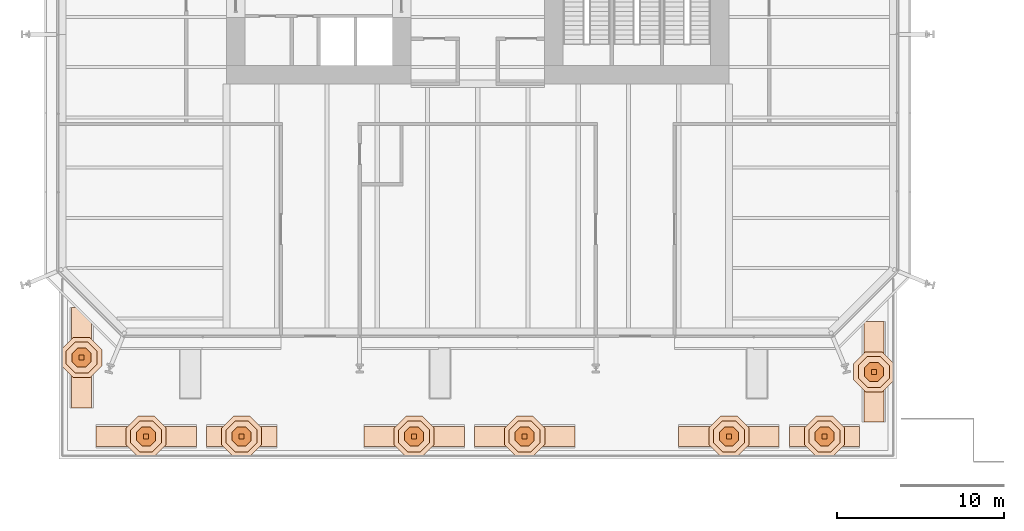
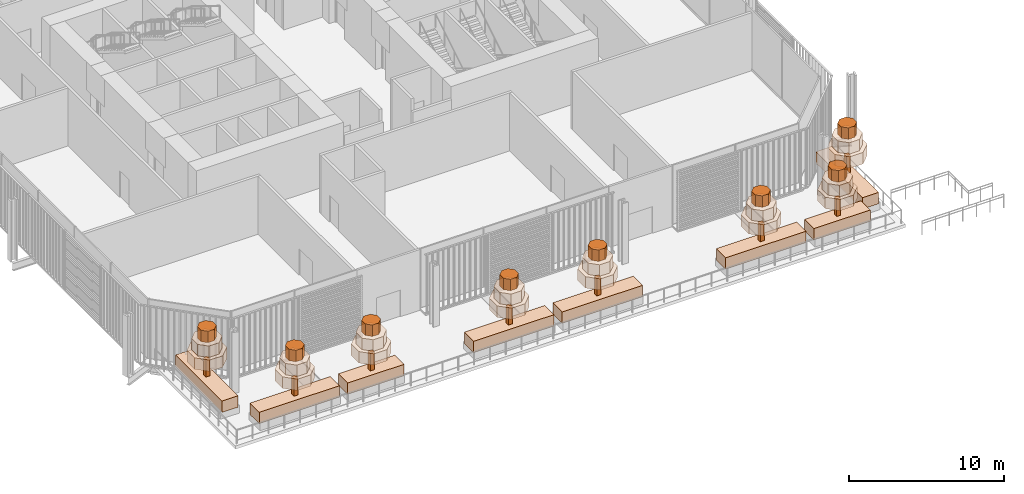
# One storey, part 21 of 21: 40 geographic elements.
"""IFC4 building model written with IfcOpenShell, lengths in metres."""

from ifc_helpers import new_model, si_unit, direction, frame, origin, origin_2d, place, context, subcontext, project, spatial, polyline, rectangle, outline, extrude, material, type_object, element, save


model = new_model("IFC4")

# Units and contexts
model_context = context("Model", 3, precision=1e-05, world=origin(), true_north=direction((0.0, 1.0)))
body_context = subcontext(model_context, "Body", "Model", "MODEL_VIEW")
ifc_project = project(units=[si_unit("LENGTHUNIT", "METRE"), si_unit("AREAUNIT", "SQUARE_METRE"), si_unit("VOLUMEUNIT", "CUBIC_METRE"), si_unit("PLANEANGLEUNIT", "RADIAN"), si_unit("MASSUNIT", "GRAM", prefix="KILO")], contexts=[model_context])

# Site, building, storey
site_placement = place(None, origin())
site = spatial("IfcSite", under=ifc_project, at=site_placement, CompositionType="ELEMENT")
building_placement = place(site_placement, origin())
building = spatial("IfcBuilding", under=site, at=building_placement, Name="Millrace Tower", CompositionType="ELEMENT")
storey_placement = place(building_placement, frame((0.0, 0.0, 16.10009765625)))
storey = spatial("IfcBuildingStorey", under=building, at=storey_placement, Name="L04", CompositionType="ELEMENT", Elevation=16.10009765625)

# Geographic elements
ifc_material_1 = material(Name="Planting shrub bed")
geographic_element_type_1 = type_object("IfcGeographicElementType", Name="Shrub bed", PredefinedType="USERDEFINED", material=ifc_material_1)
for number, where, z_axis, x_axis, name in (
    (1, (-23.64990234375, -26.35009765625, 0.5), (0.0, 0.0, 1.0), (0.0, -1.0, 0.0), "Shrub bed CT-L03-1-1-0-0"),
    (2, (-19.800048828125, -31.050048828125, 0.5), (0.0, 0.0, 1.0), (1.0, 0.0, 0.0), "Shrub bed CT-L03-1-1-1-0"),
):
    element("IfcGeographicElement", number, at=place(storey_placement, frame(where, z_axis=z_axis, x_axis=x_axis)), inside=storey, type_object=geographic_element_type_1, Name=name, ObjectType="SHRUB", PredefinedType="USERDEFINED", context=body_context, shape_type="SweptSolid", body=[
        extrude(rectangle(XDim=6.0, YDim=1.199951171875, at=origin_2d()), origin(), (0.0, 0.0, 1.0), 0.89990234375),
    ])
geographic_element_1_placement = place(storey_placement, frame((-14.10009765625, -31.050048828125, 0.5), z_axis=(0.0, 0.0, 1.0), x_axis=(1.0, 0.0, 0.0)))
element("IfcGeographicElement", 3, at=geographic_element_1_placement, inside=storey, type_object=geographic_element_type_1, Name="Shrub bed CT-L03-1-1-1-1", ObjectType="SHRUB", PredefinedType="USERDEFINED", context=body_context, shape_type="SweptSolid", body=[
    extrude(rectangle(XDim=4.199951171875, YDim=1.199951171875, at=origin_2d()), origin(), (0.0, 0.0, 1.0), 0.89990234375),
])
for number, where, z_axis, x_axis, name in (
    (4, (-3.800048828125, -31.050048828125, 0.5), (0.0, 0.0, 1.0), (1.0, 0.0, 0.0), "Shrub bed CT-L03-1-1-1-2"),
    (5, (2.800048828125, -31.050048828125, 0.5), (0.0, 0.0, 1.0), (1.0, 0.0, 0.0), "Shrub bed CT-L03-1-1-1-3"),
    (6, (15.0, -31.050048828125, 0.5), (0.0, 0.0, 1.0), (1.0, 0.0, 0.0), "Shrub bed CT-L03-1-1-1-4"),
):
    element("IfcGeographicElement", number, at=place(storey_placement, frame(where, z_axis=z_axis, x_axis=x_axis)), inside=storey, type_object=geographic_element_type_1, Name=name, ObjectType="SHRUB", PredefinedType="USERDEFINED", context=body_context, shape_type="SweptSolid", body=[
        extrude(rectangle(XDim=6.0, YDim=1.199951171875, at=origin_2d()), origin(), (0.0, 0.0, 1.0), 0.89990234375),
    ])
geographic_element_2_placement = place(storey_placement, frame((20.699951171875, -31.050048828125, 0.5), z_axis=(0.0, 0.0, 1.0), x_axis=(1.0, 0.0, 0.0)))
element("IfcGeographicElement", 7, at=geographic_element_2_placement, inside=storey, type_object=geographic_element_type_1, Name="Shrub bed CT-L03-1-1-1-5", ObjectType="SHRUB", PredefinedType="USERDEFINED", context=body_context, shape_type="SweptSolid", body=[
    extrude(rectangle(XDim=4.199951171875, YDim=1.199951171875, at=origin_2d()), origin(), (0.0, 0.0, 1.0), 0.89990234375),
])
geographic_element_3_placement = place(storey_placement, frame((23.64990234375, -27.199951171875, 0.5), z_axis=(0.0, 0.0, 1.0), x_axis=(0.0, 1.0, 0.0)))
element("IfcGeographicElement", 8, at=geographic_element_3_placement, inside=storey, type_object=geographic_element_type_1, Name="Shrub bed CT-L03-1-1-2-0", ObjectType="SHRUB", PredefinedType="USERDEFINED", context=body_context, shape_type="SweptSolid", body=[
    extrude(rectangle(XDim=6.0, YDim=1.199951171875, at=origin_2d()), origin(), (0.0, 0.0, 1.0), 0.89990234375),
])
ifc_material_2 = material(Name="Planting tree crown")
geographic_element_type_2 = type_object("IfcGeographicElementType", Name="Tree crown", PredefinedType="USERDEFINED", material=ifc_material_2)
placement_1 = place(storey_placement, frame((0.0, 0.0, 2.599853515625)))
element("IfcGeographicElement", 9, at=placement_1, inside=storey, type_object=geographic_element_type_2, Name="Tree crown CT-L03-1-1-0-0 tier 1", ObjectType="TREE", PredefinedType="USERDEFINED", context=body_context, shape_type="SweptSolid", body=[
    extrude(outline(polyline([(-22.448974609375, -25.8525390625), (-23.152587890625, -25.14892578125), (-24.1474609375, -25.14892578125), (-24.85107421875, -25.8525390625), (-24.85107421875, -26.847412109375), (-24.1474609375, -27.551025390625), (-23.152587890625, -27.551025390625), (-22.448974609375, -26.847412109375), (-22.448974609375, -25.8525390625)])), origin(), (0.0, 0.0, 1.0), 0.900146484375),
])
placement_2 = place(storey_placement, frame((0.0, 0.0, 3.5)))
element("IfcGeographicElement", 10, at=placement_2, inside=storey, type_object=geographic_element_type_2, Name="Tree crown CT-L03-1-1-0-0 tier 2", ObjectType="TREE", PredefinedType="USERDEFINED", context=body_context, shape_type="SweptSolid", body=[
    extrude(outline(polyline([(-22.72607421875, -25.96728515625), (-23.267333984375, -25.426025390625), (-24.03271484375, -25.426025390625), (-24.573974609375, -25.96728515625), (-24.573974609375, -26.732666015625), (-24.03271484375, -27.27392578125), (-23.267333984375, -27.27392578125), (-22.72607421875, -26.732666015625), (-22.72607421875, -25.96728515625)])), origin(), (0.0, 0.0, 1.0), 0.89990234375),
])
placement_3 = place(storey_placement, frame((0.0, 0.0, 4.39990234375)))
element("IfcGeographicElement", 11, at=placement_3, inside=storey, type_object=geographic_element_type_2, Name="Tree crown CT-L03-1-1-0-0 tier 3", ObjectType="TREE", PredefinedType="USERDEFINED", context=body_context, shape_type="SweptSolid", body=[
    extrude(outline(polyline([(-23.0771484375, -26.11279296875), (-23.41259765625, -25.777099609375), (-23.88720703125, -25.777099609375), (-24.222900390625, -26.11279296875), (-24.222900390625, -26.58740234375), (-23.88720703125, -26.9228515625), (-23.41259765625, -26.9228515625), (-23.0771484375, -26.58740234375), (-23.0771484375, -26.11279296875)])), origin(), (0.0, 0.0, 1.0), 0.89990234375),
])
element("IfcGeographicElement", 12, at=placement_1, inside=storey, type_object=geographic_element_type_2, Name="Tree crown CT-L03-1-1-1-0 tier 1", ObjectType="TREE", PredefinedType="USERDEFINED", context=body_context, shape_type="SweptSolid", body=[
    extrude(outline(polyline([(-18.59912109375, -30.552490234375), (-19.302490234375, -29.84912109375), (-20.297607421875, -29.84912109375), (-21.0009765625, -30.552490234375), (-21.0009765625, -31.547607421875), (-20.297607421875, -32.2509765625), (-19.302490234375, -32.2509765625), (-18.59912109375, -31.547607421875), (-18.59912109375, -30.552490234375)])), origin(), (0.0, 0.0, 1.0), 0.900146484375),
])
element("IfcGeographicElement", 13, at=placement_2, inside=storey, type_object=geographic_element_type_2, Name="Tree crown CT-L03-1-1-1-0 tier 2", ObjectType="TREE", PredefinedType="USERDEFINED", context=body_context, shape_type="SweptSolid", body=[
    extrude(outline(polyline([(-18.876220703125, -30.667236328125), (-19.417236328125, -30.126220703125), (-20.1826171875, -30.126220703125), (-20.723876953125, -30.667236328125), (-20.723876953125, -31.4326171875), (-20.1826171875, -31.973876953125), (-19.417236328125, -31.973876953125), (-18.876220703125, -31.4326171875), (-18.876220703125, -30.667236328125)])), origin(), (0.0, 0.0, 1.0), 0.89990234375),
])
element("IfcGeographicElement", 14, at=placement_3, inside=storey, type_object=geographic_element_type_2, Name="Tree crown CT-L03-1-1-1-0 tier 3", ObjectType="TREE", PredefinedType="USERDEFINED", context=body_context, shape_type="SweptSolid", body=[
    extrude(outline(polyline([(-19.227294921875, -30.812744140625), (-19.562744140625, -30.477294921875), (-20.037353515625, -30.477294921875), (-20.372802734375, -30.812744140625), (-20.372802734375, -31.287353515625), (-20.037353515625, -31.622802734375), (-19.562744140625, -31.622802734375), (-19.227294921875, -31.287353515625), (-19.227294921875, -30.812744140625)])), origin(), (0.0, 0.0, 1.0), 0.89990234375),
])
element("IfcGeographicElement", 15, at=placement_1, inside=storey, type_object=geographic_element_type_2, Name="Tree crown CT-L03-1-1-1-1 tier 1", ObjectType="TREE", PredefinedType="USERDEFINED", context=body_context, shape_type="SweptSolid", body=[
    extrude(outline(polyline([(-12.89892578125, -30.552490234375), (-13.6025390625, -29.84912109375), (-14.597412109375, -29.84912109375), (-15.301025390625, -30.552490234375), (-15.301025390625, -31.547607421875), (-14.597412109375, -32.2509765625), (-13.6025390625, -32.2509765625), (-12.89892578125, -31.547607421875), (-12.89892578125, -30.552490234375)])), origin(), (0.0, 0.0, 1.0), 0.900146484375),
])
element("IfcGeographicElement", 16, at=placement_2, inside=storey, type_object=geographic_element_type_2, Name="Tree crown CT-L03-1-1-1-1 tier 2", ObjectType="TREE", PredefinedType="USERDEFINED", context=body_context, shape_type="SweptSolid", body=[
    extrude(outline(polyline([(-13.176025390625, -30.667236328125), (-13.71728515625, -30.126220703125), (-14.482666015625, -30.126220703125), (-15.02392578125, -30.667236328125), (-15.02392578125, -31.4326171875), (-14.482666015625, -31.973876953125), (-13.71728515625, -31.973876953125), (-13.176025390625, -31.4326171875), (-13.176025390625, -30.667236328125)])), origin(), (0.0, 0.0, 1.0), 0.89990234375),
])
element("IfcGeographicElement", 17, at=placement_3, inside=storey, type_object=geographic_element_type_2, Name="Tree crown CT-L03-1-1-1-1 tier 3", ObjectType="TREE", PredefinedType="USERDEFINED", context=body_context, shape_type="SweptSolid", body=[
    extrude(outline(polyline([(-13.527099609375, -30.812744140625), (-13.86279296875, -30.477294921875), (-14.33740234375, -30.477294921875), (-14.6728515625, -30.812744140625), (-14.6728515625, -31.287353515625), (-14.33740234375, -31.622802734375), (-13.86279296875, -31.622802734375), (-13.527099609375, -31.287353515625), (-13.527099609375, -30.812744140625)])), origin(), (0.0, 0.0, 1.0), 0.89990234375),
])
element("IfcGeographicElement", 18, at=placement_1, inside=storey, type_object=geographic_element_type_2, Name="Tree crown CT-L03-1-1-1-2 tier 1", ObjectType="TREE", PredefinedType="USERDEFINED", context=body_context, shape_type="SweptSolid", body=[
    extrude(outline(polyline([(-2.59912109375, -30.552490234375), (-3.302490234375, -29.84912109375), (-4.297607421875, -29.84912109375), (-5.0009765625, -30.552490234375), (-5.0009765625, -31.547607421875), (-4.297607421875, -32.2509765625), (-3.302490234375, -32.2509765625), (-2.59912109375, -31.547607421875), (-2.59912109375, -30.552490234375)])), origin(), (0.0, 0.0, 1.0), 0.900146484375),
])
element("IfcGeographicElement", 19, at=placement_2, inside=storey, type_object=geographic_element_type_2, Name="Tree crown CT-L03-1-1-1-2 tier 2", ObjectType="TREE", PredefinedType="USERDEFINED", context=body_context, shape_type="SweptSolid", body=[
    extrude(outline(polyline([(-2.876220703125, -30.667236328125), (-3.417236328125, -30.126220703125), (-4.1826171875, -30.126220703125), (-4.723876953125, -30.667236328125), (-4.723876953125, -31.4326171875), (-4.1826171875, -31.973876953125), (-3.417236328125, -31.973876953125), (-2.876220703125, -31.4326171875), (-2.876220703125, -30.667236328125)])), origin(), (0.0, 0.0, 1.0), 0.89990234375),
])
element("IfcGeographicElement", 20, at=placement_3, inside=storey, type_object=geographic_element_type_2, Name="Tree crown CT-L03-1-1-1-2 tier 3", ObjectType="TREE", PredefinedType="USERDEFINED", context=body_context, shape_type="SweptSolid", body=[
    extrude(outline(polyline([(-3.227294921875, -30.812744140625), (-3.562744140625, -30.477294921875), (-4.037353515625, -30.477294921875), (-4.372802734375, -30.812744140625), (-4.372802734375, -31.287353515625), (-4.037353515625, -31.622802734375), (-3.562744140625, -31.622802734375), (-3.227294921875, -31.287353515625), (-3.227294921875, -30.812744140625)])), origin(), (0.0, 0.0, 1.0), 0.89990234375),
])
element("IfcGeographicElement", 21, at=placement_1, inside=storey, type_object=geographic_element_type_2, Name="Tree crown CT-L03-1-1-1-3 tier 1", ObjectType="TREE", PredefinedType="USERDEFINED", context=body_context, shape_type="SweptSolid", body=[
    extrude(outline(polyline([(4.0009765625, -30.552490234375), (3.297607421875, -29.84912109375), (2.302490234375, -29.84912109375), (1.59912109375, -30.552490234375), (1.59912109375, -31.547607421875), (2.302490234375, -32.2509765625), (3.297607421875, -32.2509765625), (4.0009765625, -31.547607421875), (4.0009765625, -30.552490234375)])), origin(), (0.0, 0.0, 1.0), 0.900146484375),
])
element("IfcGeographicElement", 22, at=placement_2, inside=storey, type_object=geographic_element_type_2, Name="Tree crown CT-L03-1-1-1-3 tier 2", ObjectType="TREE", PredefinedType="USERDEFINED", context=body_context, shape_type="SweptSolid", body=[
    extrude(outline(polyline([(3.723876953125, -30.667236328125), (3.1826171875, -30.126220703125), (2.417236328125, -30.126220703125), (1.876220703125, -30.667236328125), (1.876220703125, -31.4326171875), (2.417236328125, -31.973876953125), (3.1826171875, -31.973876953125), (3.723876953125, -31.4326171875), (3.723876953125, -30.667236328125)])), origin(), (0.0, 0.0, 1.0), 0.89990234375),
])
element("IfcGeographicElement", 23, at=placement_3, inside=storey, type_object=geographic_element_type_2, Name="Tree crown CT-L03-1-1-1-3 tier 3", ObjectType="TREE", PredefinedType="USERDEFINED", context=body_context, shape_type="SweptSolid", body=[
    extrude(outline(polyline([(3.372802734375, -30.812744140625), (3.037353515625, -30.477294921875), (2.562744140625, -30.477294921875), (2.227294921875, -30.812744140625), (2.227294921875, -31.287353515625), (2.562744140625, -31.622802734375), (3.037353515625, -31.622802734375), (3.372802734375, -31.287353515625), (3.372802734375, -30.812744140625)])), origin(), (0.0, 0.0, 1.0), 0.89990234375),
])
element("IfcGeographicElement", 24, at=placement_1, inside=storey, type_object=geographic_element_type_2, Name="Tree crown CT-L03-1-1-1-4 tier 1", ObjectType="TREE", PredefinedType="USERDEFINED", context=body_context, shape_type="SweptSolid", body=[
    extrude(outline(polyline([(16.200927734375, -30.552490234375), (15.49755859375, -29.84912109375), (14.50244140625, -29.84912109375), (13.799072265625, -30.552490234375), (13.799072265625, -31.547607421875), (14.50244140625, -32.2509765625), (15.49755859375, -32.2509765625), (16.200927734375, -31.547607421875), (16.200927734375, -30.552490234375)])), origin(), (0.0, 0.0, 1.0), 0.900146484375),
])
element("IfcGeographicElement", 25, at=placement_2, inside=storey, type_object=geographic_element_type_2, Name="Tree crown CT-L03-1-1-1-4 tier 2", ObjectType="TREE", PredefinedType="USERDEFINED", context=body_context, shape_type="SweptSolid", body=[
    extrude(outline(polyline([(15.923828125, -30.667236328125), (15.3828125, -30.126220703125), (14.6171875, -30.126220703125), (14.076171875, -30.667236328125), (14.076171875, -31.4326171875), (14.6171875, -31.973876953125), (15.3828125, -31.973876953125), (15.923828125, -31.4326171875), (15.923828125, -30.667236328125)])), origin(), (0.0, 0.0, 1.0), 0.89990234375),
])
element("IfcGeographicElement", 26, at=placement_3, inside=storey, type_object=geographic_element_type_2, Name="Tree crown CT-L03-1-1-1-4 tier 3", ObjectType="TREE", PredefinedType="USERDEFINED", context=body_context, shape_type="SweptSolid", body=[
    extrude(outline(polyline([(15.57275390625, -30.812744140625), (15.2373046875, -30.477294921875), (14.7626953125, -30.477294921875), (14.42724609375, -30.812744140625), (14.42724609375, -31.287353515625), (14.7626953125, -31.622802734375), (15.2373046875, -31.622802734375), (15.57275390625, -31.287353515625), (15.57275390625, -30.812744140625)])), origin(), (0.0, 0.0, 1.0), 0.89990234375),
])
element("IfcGeographicElement", 27, at=placement_1, inside=storey, type_object=geographic_element_type_2, Name="Tree crown CT-L03-1-1-1-5 tier 1", ObjectType="TREE", PredefinedType="USERDEFINED", context=body_context, shape_type="SweptSolid", body=[
    extrude(outline(polyline([(21.90087890625, -30.552490234375), (21.197509765625, -29.84912109375), (20.202392578125, -29.84912109375), (19.4990234375, -30.552490234375), (19.4990234375, -31.547607421875), (20.202392578125, -32.2509765625), (21.197509765625, -32.2509765625), (21.90087890625, -31.547607421875), (21.90087890625, -30.552490234375)])), origin(), (0.0, 0.0, 1.0), 0.900146484375),
])
element("IfcGeographicElement", 28, at=placement_2, inside=storey, type_object=geographic_element_type_2, Name="Tree crown CT-L03-1-1-1-5 tier 2", ObjectType="TREE", PredefinedType="USERDEFINED", context=body_context, shape_type="SweptSolid", body=[
    extrude(outline(polyline([(21.623779296875, -30.667236328125), (21.082763671875, -30.126220703125), (20.3173828125, -30.126220703125), (19.776123046875, -30.667236328125), (19.776123046875, -31.4326171875), (20.3173828125, -31.973876953125), (21.082763671875, -31.973876953125), (21.623779296875, -31.4326171875), (21.623779296875, -30.667236328125)])), origin(), (0.0, 0.0, 1.0), 0.89990234375),
])
element("IfcGeographicElement", 29, at=placement_3, inside=storey, type_object=geographic_element_type_2, Name="Tree crown CT-L03-1-1-1-5 tier 3", ObjectType="TREE", PredefinedType="USERDEFINED", context=body_context, shape_type="SweptSolid", body=[
    extrude(outline(polyline([(21.272705078125, -30.812744140625), (20.937255859375, -30.477294921875), (20.462646484375, -30.477294921875), (20.127197265625, -30.812744140625), (20.127197265625, -31.287353515625), (20.462646484375, -31.622802734375), (20.937255859375, -31.622802734375), (21.272705078125, -31.287353515625), (21.272705078125, -30.812744140625)])), origin(), (0.0, 0.0, 1.0), 0.89990234375),
])
element("IfcGeographicElement", 30, at=placement_1, inside=storey, type_object=geographic_element_type_2, Name="Tree crown CT-L03-1-1-2-0 tier 1", ObjectType="TREE", PredefinedType="USERDEFINED", context=body_context, shape_type="SweptSolid", body=[
    extrude(outline(polyline([(24.85107421875, -26.702392578125), (24.1474609375, -25.9990234375), (23.152587890625, -25.9990234375), (22.448974609375, -26.702392578125), (22.448974609375, -27.697509765625), (23.152587890625, -28.40087890625), (24.1474609375, -28.40087890625), (24.85107421875, -27.697509765625), (24.85107421875, -26.702392578125)])), origin(), (0.0, 0.0, 1.0), 0.900146484375),
])
element("IfcGeographicElement", 31, at=placement_2, inside=storey, type_object=geographic_element_type_2, Name="Tree crown CT-L03-1-1-2-0 tier 2", ObjectType="TREE", PredefinedType="USERDEFINED", context=body_context, shape_type="SweptSolid", body=[
    extrude(outline(polyline([(24.573974609375, -26.8173828125), (24.03271484375, -26.276123046875), (23.267333984375, -26.276123046875), (22.72607421875, -26.8173828125), (22.72607421875, -27.582763671875), (23.267333984375, -28.123779296875), (24.03271484375, -28.123779296875), (24.573974609375, -27.582763671875), (24.573974609375, -26.8173828125)])), origin(), (0.0, 0.0, 1.0), 0.89990234375),
])
element("IfcGeographicElement", 32, at=placement_3, inside=storey, type_object=geographic_element_type_2, Name="Tree crown CT-L03-1-1-2-0 tier 3", ObjectType="TREE", PredefinedType="USERDEFINED", context=body_context, shape_type="SweptSolid", body=[
    extrude(outline(polyline([(24.222900390625, -26.962646484375), (23.88720703125, -26.627197265625), (23.41259765625, -26.627197265625), (23.0771484375, -26.962646484375), (23.0771484375, -27.437255859375), (23.41259765625, -27.772705078125), (23.88720703125, -27.772705078125), (24.222900390625, -27.437255859375), (24.222900390625, -26.962646484375)])), origin(), (0.0, 0.0, 1.0), 0.89990234375),
])
ifc_material_3 = material(Name="Timber trunk", Category="wood")
geographic_element_type_3 = type_object("IfcGeographicElementType", Name="Tree trunk", PredefinedType="USERDEFINED", material=ifc_material_3)
for number, where, z_axis, x_axis, name in (
    (33, (-23.64990234375, -26.35009765625, 0.60009765625), (0.0, 0.0, 1.0), (1.0, 0.0, 0.0), "Tree trunk CT-L03-1-1-0-0"),
    (34, (-19.800048828125, -31.050048828125, 0.60009765625), (0.0, 0.0, 1.0), (1.0, 0.0, 0.0), "Tree trunk CT-L03-1-1-1-0"),
    (35, (-14.10009765625, -31.050048828125, 0.60009765625), (0.0, 0.0, 1.0), (1.0, 0.0, 0.0), "Tree trunk CT-L03-1-1-1-1"),
    (36, (-3.800048828125, -31.050048828125, 0.60009765625), (0.0, 0.0, 1.0), (1.0, 0.0, 0.0), "Tree trunk CT-L03-1-1-1-2"),
    (37, (2.800048828125, -31.050048828125, 0.60009765625), (0.0, 0.0, 1.0), (1.0, 0.0, 0.0), "Tree trunk CT-L03-1-1-1-3"),
    (38, (15.0, -31.050048828125, 0.60009765625), (0.0, 0.0, 1.0), (1.0, 0.0, 0.0), "Tree trunk CT-L03-1-1-1-4"),
    (39, (20.699951171875, -31.050048828125, 0.60009765625), (0.0, 0.0, 1.0), (1.0, 0.0, 0.0), "Tree trunk CT-L03-1-1-1-5"),
    (40, (23.64990234375, -27.199951171875, 0.60009765625), (0.0, 0.0, 1.0), (1.0, 0.0, 0.0), "Tree trunk CT-L03-1-1-2-0"),
):
    element("IfcGeographicElement", number, at=place(storey_placement, frame(where, z_axis=z_axis, x_axis=x_axis)), inside=storey, type_object=geographic_element_type_3, Name=name, ObjectType="TREE", PredefinedType="USERDEFINED", context=body_context, shape_type="SweptSolid", body=[
        extrude(rectangle(XDim=0.300048828125, YDim=0.300048828125, at=origin_2d()), origin(), (0.0, 0.0, 1.0), 2.199951171875),
    ])

save(model, "model.ifc")
